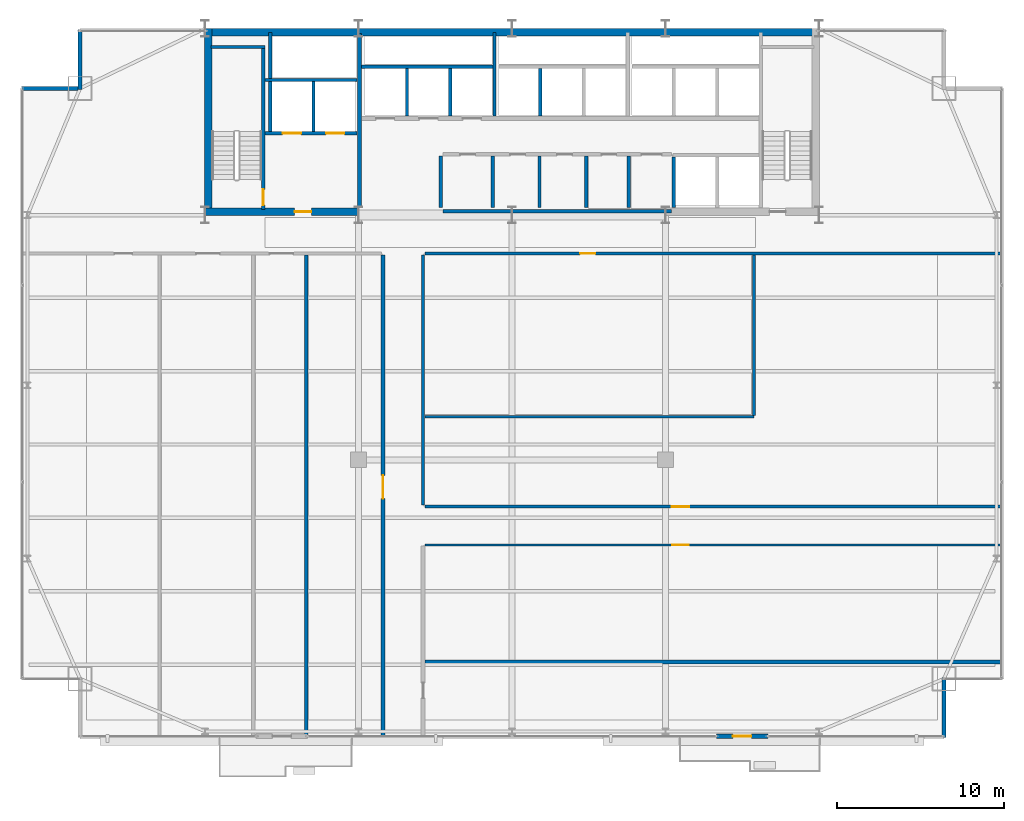
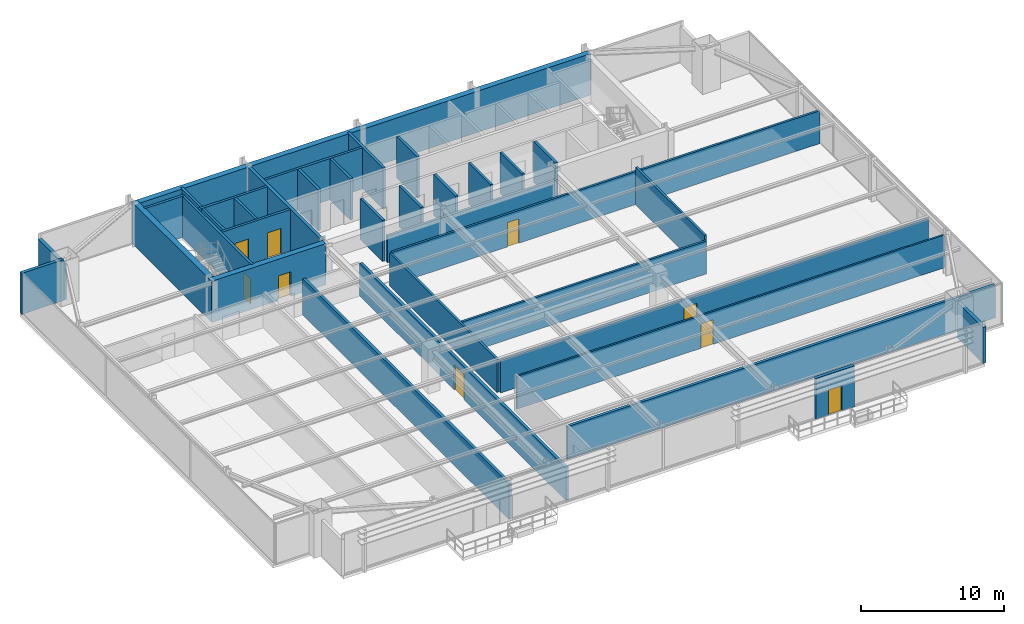
# One storey, part 28 of 31: 35 walls, 9 doors, 9 openings.
"""IFC4 building model written with IfcOpenShell, lengths in metres."""

from ifc_helpers import new_model, si_unit, direction, frame, frame_2d, origin, place, context, subcontext, project, spatial, rectangle, extrude, source, transform, mapped, material, layer, layer_set, type_object, type_shapes, element, fill, save


model = new_model("IFC4")

# Units and contexts
model_context = context("Model", 3, precision=1e-05, world=origin(), true_north=direction((0.0, 1.0)))
body_context = subcontext(model_context, "Body", "Model", "MODEL_VIEW")
ifc_project = project(units=[si_unit("LENGTHUNIT", "METRE"), si_unit("AREAUNIT", "SQUARE_METRE"), si_unit("VOLUMEUNIT", "CUBIC_METRE"), si_unit("PLANEANGLEUNIT", "RADIAN"), si_unit("MASSUNIT", "GRAM", prefix="KILO")], contexts=[model_context])

# Site, building, storey
site_placement = place(None, origin())
site = spatial("IfcSite", under=ifc_project, at=site_placement, CompositionType="ELEMENT")
building_placement = place(site_placement, origin())
building = spatial("IfcBuilding", under=site, at=building_placement, Name="Varnel Quay Broadcast Tower", CompositionType="ELEMENT")
storey_placement = place(building_placement, frame((0.0, 0.0, 94.60009765625)))
storey = spatial("IfcBuildingStorey", under=building, at=storey_placement, Name="L22", CompositionType="ELEMENT", Elevation=94.60009765625)

# Wall, opening, door
ifc_material_1 = material(Name="Concrete CSA A23.3 C50/60", Category="concrete")
ifc_layer_1 = layer(ifc_material_1, 0.199951171875, Name="Concrete CSA A23.3 C50/60")
ifc_layer_set_1 = layer_set([ifc_layer_1], Name="Concrete CSA A23.3 C50/60")
wall_type_1 = type_object("IfcWallType", Name="Wall_CoreShaftShear200", PredefinedType="SHEAR", material=ifc_layer_set_1)
wall_1_placement = place(storey_placement, frame((19.080078125, 35.949951171875, 0.0), z_axis=(0.0, 0.0, 1.0), x_axis=(0.0, 1.0, 0.0)))
wall_1 = element("IfcWall", 1, at=wall_1_placement, inside=storey, type_object=wall_type_1, Name="L22 Stair 1 East Structural Wall", PredefinedType="SHEAR", context=body_context, shape_type="SweptSolid", body=[
    extrude(rectangle(XDim=9.650146484375, YDim=0.199951171875, at=frame_2d((4.8251953125, 0.0))), origin(), (0.0, 0.0, 1.0), 3.52001953125),
])
opening_1_placement = place(wall_1_placement, frame((0.25, 0.0, 0.0)))
opening_1 = element("IfcOpeningElement", 2, at=opening_1_placement, cuts=wall_1, Name="Opening D-L22-S1", PredefinedType="OPENING", context=body_context, shape_type="SweptSolid", body=[
    extrude(rectangle(XDim=0.949951171875, YDim=2.10009765625, at=frame_2d((0.47509765625, 1.050048828125))), frame((0.0, 0.10986328125, 0.0), z_axis=(0.0, -1.0, 0.0), x_axis=(1.0, 0.0, 0.0)), (0.0, 0.0, 1.0), 0.219970703125),
])
ifc_material_2 = material(Name="Insulated Fire-Rated Hollow Steel Door", Category="steel")
door_type_1 = type_object("IfcDoorType", Name="Door_FireStair950", OperationType="NOTDEFINED", PredefinedType="DOOR", material=ifc_material_2)
shared_shape_1 = source(origin(), body_context, "Body", "SweptSolid", [
    extrude(rectangle(XDim=0.949951171875, YDim=2.10009765625, at=frame_2d((0.47509765625, 1.050048828125))), frame((0.0, 0.02490234375, 0.0), z_axis=(0.0, -1.0, 0.0), x_axis=(1.0, 0.0, 0.0)), (0.0, 0.0, 1.0), 0.050048828125),
])
type_shapes(door_type_1, [shared_shape_1])
door_1_placement = place(opening_1_placement, origin())
door_1 = element("IfcDoor", 3, at=door_1_placement, inside=storey, type_object=door_type_1, Name="L22 Stair 1 Fire Door", OperationType="SINGLE_SWING_RIGHT", OverallHeight=2.10009765625, OverallWidth=0.949951171875, PredefinedType="DOOR", context=body_context, shape_type="MappedRepresentation", body=[
    mapped(shared_shape_1, transform((0.0, 0.0, 0.0), x_axis=(1.0, 0.0, 0.0), y_axis=(0.0, 1.0, 0.0), z_axis=(0.0, 0.0, 1.0), scale=1.0)),
])
fill(opening_1, door_1)

# Wall
wall_2_placement = place(storey_placement, frame((15.949951171875, 45.679931640625, 0.0), z_axis=(0.0, 0.0, 1.0), x_axis=(1.0, 0.0, 0.0)))
element("IfcWall", 4, at=wall_2_placement, inside=storey, type_object=wall_type_1, Name="L22 Stair 1 North Structural Wall", PredefinedType="SHEAR", context=body_context, shape_type="SweptSolid", body=[
    extrude(rectangle(XDim=3.22998046875, YDim=0.199951171875, at=frame_2d((1.614990234375, 0.0))), origin(), (0.0, 0.0, 1.0), 3.52001953125),
])

# Wall, openings, doors
wall_3_placement = place(storey_placement, frame((19.199951171875, 40.5, 0.0), z_axis=(0.0, 0.0, 1.0), x_axis=(1.0, 0.0, 0.0)))
wall_3 = element("IfcWall", 5, at=wall_3_placement, inside=storey, type_object=wall_type_1, Name="L22 Firefighter Lift Shaft Front Wall", PredefinedType="SHEAR", context=body_context, shape_type="SweptSolid", body=[
    extrude(rectangle(XDim=5.52001953125, YDim=0.199951171875, at=frame_2d((2.760009765625, 0.0))), origin(), (0.0, 0.0, 1.0), 3.52001953125),
])
opening_2_placement = place(wall_3_placement, frame((1.050048828125, 0.0, 0.0)))
opening_2 = element("IfcOpeningElement", 6, at=opening_2_placement, cuts=wall_3, Name="Opening LD-L22-FE1", PredefinedType="OPENING", context=body_context, shape_type="SweptSolid", body=[
    extrude(rectangle(XDim=1.10009765625, YDim=2.179931640625, at=frame_2d((0.550048828125, 1.08984375))), frame((0.0, 0.10986328125, 0.0), z_axis=(0.0, -1.0, 0.0), x_axis=(1.0, 0.0, 0.0)), (0.0, 0.0, 1.0), 0.219970703125),
])
opening_3_placement = place(wall_3_placement, frame((3.64990234375, 0.0, 0.0)))
opening_3 = element("IfcOpeningElement", 7, at=opening_3_placement, cuts=wall_3, Name="Opening LD-L22-FE2", PredefinedType="OPENING", context=body_context, shape_type="SweptSolid", body=[
    extrude(rectangle(XDim=1.10009765625, YDim=2.179931640625, at=frame_2d((0.550048828125, 1.08984375))), frame((0.0, 0.10986328125, 0.0), z_axis=(0.0, -1.0, 0.0), x_axis=(1.0, 0.0, 0.0)), (0.0, 0.0, 1.0), 0.219970703125),
])
ifc_material_3 = material(Name="Brushed Bronze-Stainless Lift Car & Sliding Doors", Category="steel")
door_type_2 = type_object("IfcDoorType", Name="Door_LiftLanding1100", OperationType="SLIDING_TO_LEFT", PredefinedType="DOOR", material=ifc_material_3)
shared_shape_2 = source(origin(), body_context, "Body", "SweptSolid", [
    extrude(rectangle(XDim=1.10009765625, YDim=2.179931640625, at=frame_2d((0.550048828125, 1.08984375))), frame((0.0, 0.02490234375, 0.0), z_axis=(0.0, -1.0, 0.0), x_axis=(1.0, 0.0, 0.0)), (0.0, 0.0, 1.0), 0.050048828125),
])
type_shapes(door_type_2, [shared_shape_2])
door_2_placement = place(opening_2_placement, frame((1.10009765625, 0.0, 0.0), z_axis=(0.0, 0.0, 1.0), x_axis=(-1.0, 0.0, 0.0)))
door_2 = element("IfcDoor", 8, at=door_2_placement, inside=storey, type_object=door_type_2, Name="L22 Firefighter Lift FE-01 Landing Door", OperationType="SLIDING_TO_LEFT", OverallHeight=2.179931640625, OverallWidth=1.10009765625, PredefinedType="DOOR", context=body_context, shape_type="MappedRepresentation", body=[
    mapped(shared_shape_2, transform((0.0, 0.0, 0.0), x_axis=(1.0, 0.0, 0.0), y_axis=(0.0, 1.0, 0.0), z_axis=(0.0, 0.0, 1.0), scale=1.0)),
])
fill(opening_2, door_2)
door_3_placement = place(opening_3_placement, frame((1.10009765625, 0.0, 0.0), z_axis=(0.0, 0.0, 1.0), x_axis=(-1.0, 0.0, 0.0)))
door_3 = element("IfcDoor", 9, at=door_3_placement, inside=storey, type_object=door_type_2, Name="L22 Firefighter Lift FE-02 Landing Door", OperationType="SLIDING_TO_RIGHT", OverallHeight=2.179931640625, OverallWidth=1.10009765625, PredefinedType="DOOR", context=body_context, shape_type="MappedRepresentation", body=[
    mapped(shared_shape_2, transform((0.0, 0.0, 0.0), x_axis=(1.0, 0.0, 0.0), y_axis=(0.0, 1.0, 0.0), z_axis=(0.0, 0.0, 1.0), scale=1.0)),
])
fill(opening_3, door_3)

# Walls
wall_4_placement = place(storey_placement, frame((19.199951171875, 43.699951171875, 0.0), z_axis=(0.0, 0.0, 1.0), x_axis=(1.0, 0.0, 0.0)))
element("IfcWall", 10, at=wall_4_placement, inside=storey, type_object=wall_type_1, Name="L22 Firefighter Lift Shaft Rear Wall", PredefinedType="SHEAR", context=body_context, shape_type="SweptSolid", body=[
    extrude(rectangle(XDim=5.52001953125, YDim=0.199951171875, at=frame_2d((2.760009765625, 0.0))), origin(), (0.0, 0.0, 1.0), 3.52001953125),
])
wall_5_placement = place(storey_placement, frame((22.10009765625, 40.60009765625, 0.0), z_axis=(0.0, 0.0, 1.0), x_axis=(0.0, 1.0, 0.0)))
element("IfcWall", 11, at=wall_5_placement, inside=storey, type_object=wall_type_1, Name="L22 Firefighter Lift Shaft Divider", PredefinedType="SHEAR", context=body_context, shape_type="SweptSolid", body=[
    extrude(rectangle(XDim=3.0, YDim=0.199951171875, at=frame_2d((1.5, 0.0))), origin(), (0.0, 0.0, 1.0), 3.52001953125),
])
wall_6_placement = place(storey_placement, frame((19.5, 40.60009765625, 0.0), z_axis=(0.0, 0.0, 1.0), x_axis=(0.0, 1.0, 0.0)))
element("IfcWall", 12, at=wall_6_placement, inside=storey, type_object=wall_type_1, Name="L22 Firefighter Lift Shaft West Wall", PredefinedType="SHEAR", context=body_context, shape_type="SweptSolid", body=[
    extrude(rectangle(XDim=5.949951171875, YDim=0.199951171875, at=frame_2d((2.97509765625, 0.0))), origin(), (0.0, 0.0, 1.0), 3.52001953125),
])
wall_7_placement = place(storey_placement, frame((24.97998046875, 44.5, 0.0), z_axis=(0.0, 0.0, 1.0), x_axis=(1.0, 0.0, 0.0)))
element("IfcWall", 13, at=wall_7_placement, inside=storey, type_object=wall_type_1, Name="L22 Low-Rise Lift Shaft Rear Wall", PredefinedType="SHEAR", context=body_context, shape_type="SweptSolid", body=[
    extrude(rectangle(XDim=7.8701171875, YDim=0.199951171875, at=frame_2d((3.93505859375, 0.0))), origin(), (0.0, 0.0, 1.0), 3.52001953125),
])
for number, where, z_axis, x_axis, name in (
    (14, (27.699951171875, 41.530029296875, 0.0), (0.0, 0.0, 1.0), (0.0, 1.0, 0.0), "L22 Low-Rise Lift Shaft Divider 1"),
    (15, (30.300048828125, 41.530029296875, 0.0), (0.0, 0.0, 1.0), (0.0, 1.0, 0.0), "L22 Low-Rise Lift Shaft Divider 2"),
):
    element("IfcWall", number, at=place(storey_placement, frame(where, z_axis=z_axis, x_axis=x_axis)), inside=storey, type_object=wall_type_1, Name=name, PredefinedType="SHEAR", context=body_context, shape_type="SweptSolid", body=[
        extrude(rectangle(XDim=2.869873046875, YDim=0.199951171875, at=frame_2d((1.43505859375, 0.0))), origin(), (0.0, 0.0, 1.0), 3.52001953125),
    ])
wall_8_placement = place(storey_placement, frame((32.949951171875, 41.530029296875, 0.0), z_axis=(0.0, 0.0, 1.0), x_axis=(0.0, 1.0, 0.0)))
element("IfcWall", 16, at=wall_8_placement, inside=storey, type_object=wall_type_1, Name="L22 Low-Rise Lift Shaft Divider 3", PredefinedType="SHEAR", context=body_context, shape_type="SweptSolid", body=[
    extrude(rectangle(XDim=5.02001953125, YDim=0.199951171875, at=frame_2d((2.510009765625, 0.0))), origin(), (0.0, 0.0, 1.0), 3.52001953125),
])
wall_9_placement = place(storey_placement, frame((35.699951171875, 41.530029296875, 0.0), z_axis=(0.0, 0.0, 1.0), x_axis=(0.0, 1.0, 0.0)))
element("IfcWall", 17, at=wall_9_placement, inside=storey, type_object=wall_type_1, Name="L22 Mid-Rise Lift Shaft Divider 2", PredefinedType="SHEAR", context=body_context, shape_type="SweptSolid", body=[
    extrude(rectangle(XDim=2.869873046875, YDim=0.199951171875, at=frame_2d((1.43505859375, 0.0))), origin(), (0.0, 0.0, 1.0), 3.52001953125),
])
wall_10_placement = place(storey_placement, frame((43.699951171875, 36.050048828125, 0.0), z_axis=(0.0, 0.0, 1.0), x_axis=(0.0, 1.0, 0.0)))
element("IfcWall", 18, at=wall_10_placement, inside=storey, type_object=wall_type_1, Name="L22 Express Lift Shaft West Wall", PredefinedType="SHEAR", context=body_context, shape_type="SweptSolid", body=[
    extrude(rectangle(XDim=3.050048828125, YDim=0.199951171875, at=frame_2d((1.52490234375, 0.0))), origin(), (0.0, 0.0, 1.0), 3.52001953125),
])
ifc_layer_2 = layer(ifc_material_1, 0.25, Name="Concrete CSA A23.3 C50/60")
ifc_layer_set_2 = layer_set([ifc_layer_2], Name="Concrete CSA A23.3 C50/60")
wall_type_2 = type_object("IfcWallType", Name="Wall_CoreShaftShear250", PredefinedType="SHEAR", material=ifc_layer_set_2)
wall_11_placement = place(storey_placement, frame((24.85009765625, 36.050048828125, 0.0), z_axis=(0.0, 0.0, 1.0), x_axis=(0.0, 1.0, 0.0)))
element("IfcWall", 19, at=wall_11_placement, inside=storey, type_object=wall_type_2, Name="L22 Firefighting Lobby East Structural Wall", PredefinedType="SHEAR", context=body_context, shape_type="SweptSolid", body=[
    extrude(rectangle(XDim=10.449951171875, YDim=0.25, at=frame_2d((5.22509765625, 0.0))), origin(), (0.0, 0.0, 1.0), 3.52001953125),
])
ifc_material_4 = material(Name="Concrete CSA A23.3 C60/75", Category="concrete")
ifc_layer_3 = layer(ifc_material_4, 0.449951171875, Name="Concrete CSA A23.3 C60/75")
ifc_layer_set_3 = layer_set([ifc_layer_3], Name="Concrete CSA A23.3 C60/75")
wall_type_3 = type_object("IfcWallType", Name="Wall_CoreShearExt450", PredefinedType="SHEAR", material=ifc_layer_set_3)
wall_12_placement = place(storey_placement, frame((15.60009765625, 46.574951171875, 0.0), z_axis=(0.0, 0.0, 1.0), x_axis=(1.0, 0.0, 0.0)))
element("IfcWall", 20, at=wall_12_placement, inside=storey, type_object=wall_type_3, Name="L22 North Core Shear Wall", PredefinedType="SHEAR", context=body_context, shape_type="SweptSolid", body=[
    extrude(rectangle(XDim=36.7998046875, YDim=0.449951171875, at=frame_2d((18.39990234375, 0.0))), origin(), (0.0, 0.0, 1.0), 3.52001953125),
])
ifc_layer_4 = layer(ifc_material_4, 0.449951171875, Name="Concrete CSA A23.3 C60/75")
ifc_layer_set_4 = layer_set([ifc_layer_4], Name="Concrete CSA A23.3 C60/75")
wall_type_4 = type_object("IfcWallType", Name="Wall_CoreShearInt450", PredefinedType="SHEAR", material=ifc_layer_set_4)
wall_13_placement = place(storey_placement, frame((15.794921875, 35.570068359375, 0.0), z_axis=(0.0, 0.0, 1.0), x_axis=(0.0, 1.0, 0.0)))
element("IfcWall", 21, at=wall_13_placement, inside=storey, type_object=wall_type_4, Name="L22 West Core Shear Wall", PredefinedType="SHEAR", context=body_context, shape_type="SweptSolid", body=[
    extrude(rectangle(XDim=11.22998046875, YDim=0.449951171875, at=frame_2d((5.614990234375, 0.0))), origin(), (0.0, 0.0, 1.0), 3.52001953125),
])

# Wall, opening, door
wall_14_placement = place(storey_placement, frame((15.570068359375, 35.794921875, 0.0), z_axis=(0.0, 0.0, 1.0), x_axis=(1.0, 0.0, 0.0)))
wall_14 = element("IfcWall", 22, at=wall_14_placement, inside=storey, type_object=wall_type_4, Name="L22 South-West Core Shear Wall", PredefinedType="SHEAR", context=body_context, shape_type="SweptSolid", body=[
    extrude(rectangle(XDim=9.22998046875, YDim=0.449951171875, at=frame_2d((4.614990234375, 0.0))), origin(), (0.0, 0.0, 1.0), 3.52001953125),
])
opening_4_placement = place(wall_14_placement, frame((5.39990234375, 0.0, 0.0)))
opening_4 = element("IfcOpeningElement", 23, at=opening_4_placement, cuts=wall_14, Name="Opening D-L22-FFL", PredefinedType="OPENING", context=body_context, shape_type="SweptSolid", body=[
    extrude(rectangle(XDim=1.0, YDim=2.10009765625, at=frame_2d((0.5, 1.050048828125))), frame((0.0, 0.23486328125, 0.0), z_axis=(0.0, -1.0, 0.0), x_axis=(1.0, 0.0, 0.0)), (0.0, 0.0, 1.0), 0.469970703125),
])
door_type_3 = type_object("IfcDoorType", Name="Door_FireLobby1000", OperationType="NOTDEFINED", PredefinedType="DOOR", material=ifc_material_2)
shared_shape_3 = source(origin(), body_context, "Body", "SweptSolid", [
    extrude(rectangle(XDim=1.0, YDim=2.10009765625, at=frame_2d((0.5, 1.050048828125))), frame((0.0, 0.02490234375, 0.0), z_axis=(0.0, -1.0, 0.0), x_axis=(1.0, 0.0, 0.0)), (0.0, 0.0, 1.0), 0.050048828125),
])
type_shapes(door_type_3, [shared_shape_3])
door_4_placement = place(opening_4_placement, origin())
door_4 = element("IfcDoor", 24, at=door_4_placement, inside=storey, type_object=door_type_3, Name="L22 Firefighting Lobby Door", OperationType="SINGLE_SWING_LEFT", OverallHeight=2.10009765625, OverallWidth=1.0, PredefinedType="DOOR", context=body_context, shape_type="MappedRepresentation", body=[
    mapped(shared_shape_3, transform((0.0, 0.0, 0.0), x_axis=(1.0, 0.0, 0.0), y_axis=(0.0, 1.0, 0.0), z_axis=(0.0, 0.0, 1.0), scale=1.0)),
])
fill(opening_4, door_4)

ifc_material_5 = material(Name="Precast Architectural Concrete C40/50", Category="concrete")
ifc_layer_5 = layer(ifc_material_5, 0.25, Name="Precast Architectural Concrete C40/50")
ifc_layer_set_5 = layer_set([ifc_layer_5], Name="Precast Architectural Concrete C40/50")
wall_type_5 = type_object("IfcWallType", Name="Wall_ExtTerrace250", PredefinedType="SOLIDWALL", material=ifc_layer_set_5)
wall_15_placement = place(storey_placement, frame((46.25, 4.35009765625, 0.0), z_axis=(0.0, 0.0, 1.0), x_axis=(1.0, 0.0, 0.0)))
wall_15 = element("IfcWall", 25, at=wall_15_placement, inside=storey, type_object=wall_type_5, Name="L22 Terrace Access Wall 2", PredefinedType="SOLIDWALL", context=body_context, shape_type="SweptSolid", body=[
    extrude(rectangle(XDim=3.10009765625, YDim=0.25, at=frame_2d((1.550048828125, 0.0))), origin(), (0.0, 0.0, 1.0), 3.5),
])
opening_5_placement = place(wall_15_placement, frame((1.0, 0.0, 0.0)))
opening_5 = element("IfcOpeningElement", 26, at=opening_5_placement, cuts=wall_15, Name="Opening TD-222", PredefinedType="OPENING", context=body_context, shape_type="SweptSolid", body=[
    extrude(rectangle(XDim=1.10009765625, YDim=2.14990234375, at=frame_2d((0.550048828125, 1.074951171875))), frame((0.0, 0.135009765625, 0.0), z_axis=(0.0, -1.0, 0.0), x_axis=(1.0, 0.0, 0.0)), (0.0, 0.0, 1.0), 0.27001953125),
])
ifc_material_6 = material(Name="Anodised Bronze Aluminium 6063-T6", Category="aluminium")
door_type_4 = type_object("IfcDoorType", Name="Door_ExtTerrace1100", OperationType="NOTDEFINED", PredefinedType="DOOR", material=ifc_material_6)
shared_shape_4 = source(origin(), body_context, "Body", "SweptSolid", [
    extrude(rectangle(XDim=1.10009765625, YDim=2.14990234375, at=frame_2d((0.550048828125, 1.074951171875))), frame((0.0, 0.02490234375, 0.0), z_axis=(0.0, -1.0, 0.0), x_axis=(1.0, 0.0, 0.0)), (0.0, 0.0, 1.0), 0.050048828125),
])
type_shapes(door_type_4, [shared_shape_4])
door_5_placement = place(opening_5_placement, frame((1.10009765625, 0.0, 0.0), z_axis=(0.0, 0.0, 1.0), x_axis=(-1.0, 0.0, 0.0)))
door_5 = element("IfcDoor", 27, at=door_5_placement, inside=storey, type_object=door_type_4, Name="L22 Terrace Door TD-222", OperationType="SINGLE_SWING_RIGHT", OverallHeight=2.14990234375, OverallWidth=1.10009765625, PredefinedType="DOOR", context=body_context, shape_type="MappedRepresentation", body=[
    mapped(shared_shape_4, transform((0.0, 0.0, 0.0), x_axis=(1.0, 0.0, 0.0), y_axis=(0.0, 1.0, 0.0), z_axis=(0.0, 0.0, 1.0), scale=1.0)),
])
fill(opening_5, door_5)

# Walls
wall_16_placement = place(storey_placement, frame((59.89990234375, 4.280029296875, 0.0), z_axis=(0.0, 0.0, 1.0), x_axis=(0.0, 1.0, 0.0)))
element("IfcWall", 28, at=wall_16_placement, inside=storey, type_object=wall_type_5, Name="L22 Mega-Column Notch Cladding Wall NSE2", PredefinedType="SOLIDWALL", context=body_context, shape_type="SweptSolid", body=[
    extrude(rectangle(XDim=3.599853515625, YDim=0.25, at=frame_2d((1.7998046875, 0.0))), origin(), (0.0, 0.0, 1.0), 3.077880859375),
])
wall_17_placement = place(storey_placement, frame((4.580078125, 43.199951171875, 0.0), z_axis=(0.0, 0.0, 1.0), x_axis=(1.0, 0.0, 0.0)))
element("IfcWall", 29, at=wall_17_placement, inside=storey, type_object=wall_type_5, Name="L22 Mega-Column Notch Cladding Wall NNW1", PredefinedType="SOLIDWALL", context=body_context, shape_type="SweptSolid", body=[
    extrude(rectangle(XDim=3.389892578125, YDim=0.25, at=frame_2d((1.69482421875, 0.0))), origin(), (0.0, 0.0, 1.0), 3.5),
])
wall_18_placement = place(storey_placement, frame((8.10009765625, 43.1201171875, 0.0), z_axis=(0.0, 0.0, 1.0), x_axis=(0.0, 1.0, 0.0)))
element("IfcWall", 30, at=wall_18_placement, inside=storey, type_object=wall_type_5, Name="L22 Mega-Column Notch Cladding Wall NNW2", PredefinedType="SOLIDWALL", context=body_context, shape_type="SweptSolid", body=[
    extrude(rectangle(XDim=3.599853515625, YDim=0.25, at=frame_2d((1.7998046875, 0.0))), origin(), (0.0, 0.0, 1.0), 3.077880859375),
])
ifc_material_7 = material(Name="Concrete Blockwork Fire Enclosure C40/50", Category="masonry")
ifc_layer_6 = layer(ifc_material_7, 0.199951171875, Name="Concrete Blockwork Fire Enclosure C40/50")
ifc_layer_set_6 = layer_set([ifc_layer_6], Name="Concrete Blockwork Fire Enclosure C40/50")
wall_type_6 = type_object("IfcWallType", Name="Wall_FireShaft200", PredefinedType="SOLIDWALL", material=ifc_layer_set_6)
wall_19_placement = place(storey_placement, frame((29.85009765625, 35.824951171875, 0.0), z_axis=(0.0, 0.0, 1.0), x_axis=(1.0, 0.0, 0.0)))
element("IfcWall", 31, at=wall_19_placement, inside=storey, type_object=wall_type_6, Name="L22 Accessible Washroom Partition 1", PredefinedType="SOLIDWALL", context=body_context, shape_type="SweptSolid", body=[
    extrude(rectangle(XDim=13.699951171875, YDim=0.199951171875, at=frame_2d((6.85009765625, 0.0))), origin(), (0.0, 0.0, 1.0), 2.294921875),
])
wall_20_placement = place(storey_placement, frame((41.0, 36.050048828125, 0.0), z_axis=(0.0, 0.0, 1.0), x_axis=(0.0, 1.0, 0.0)))
element("IfcWall", 32, at=wall_20_placement, inside=storey, type_object=wall_type_6, Name="L22 Cleaners' & Linen Store Partition 7", PredefinedType="SOLIDWALL", context=body_context, shape_type="SweptSolid", body=[
    extrude(rectangle(XDim=3.099853515625, YDim=0.199951171875, at=frame_2d((1.5498046875, 0.0))), origin(), (0.0, 0.0, 1.0), 3.5),
])

# Wall, opening, door
ifc_material_8 = material(Name="Steel-Stud Fire-Rated Acoustic Gypsum Partition Assembly", Category="steel")
ifc_layer_7 = layer(ifc_material_8, 0.139892578125, Name="Steel-Stud Fire-Rated Acoustic Gypsum Partition Assembly")
ifc_layer_set_7 = layer_set([ifc_layer_7], Name="Steel-Stud Fire-Rated Acoustic Gypsum Partition Assembly")
wall_type_7 = type_object("IfcWallType", Name="Wall_Partition140", PredefinedType="PARTITIONING", material=ifc_layer_set_7)
wall_21_placement = place(storey_placement, frame((28.77001953125, 15.820068359375, 0.0), z_axis=(0.0, 0.0, 1.0), x_axis=(1.0, 0.0, 0.0)))
wall_21 = element("IfcWall", 33, at=wall_21_placement, inside=storey, type_object=wall_type_7, Name="L22 Talent Lounge 6 Partition 15", PredefinedType="PARTITIONING", context=body_context, shape_type="SweptSolid", body=[
    extrude(rectangle(XDim=34.550048828125, YDim=0.139892578125, at=frame_2d((17.27490234375, 0.0))), origin(), (0.0, 0.0, 1.0), 2.7998046875),
])
opening_6_placement = place(wall_21_placement, frame((14.840087890625, 0.0, 0.0)))
opening_6 = element("IfcOpeningElement", 34, at=opening_6_placement, cuts=wall_21, Name="Opening D-L22-11", PredefinedType="OPENING", context=body_context, shape_type="SweptSolid", body=[
    extrude(rectangle(XDim=1.0, YDim=2.10009765625, at=frame_2d((0.5, 1.050048828125))), frame((0.0, 0.080078125, 0.0), z_axis=(0.0, -1.0, 0.0), x_axis=(1.0, 0.0, 0.0)), (0.0, 0.0, 1.0), 0.159912109375),
])
ifc_material_9 = material(Name="Solid-Core Fire-Rated Acoustic Oak Veneer Door", Category="wood")
door_type_5 = type_object("IfcDoorType", Name="Door_Exec1000", OperationType="NOTDEFINED", PredefinedType="DOOR", material=ifc_material_9)
shared_shape_5 = source(origin(), body_context, "Body", "SweptSolid", [
    extrude(rectangle(XDim=1.0, YDim=2.10009765625, at=frame_2d((0.5, 1.050048828125))), frame((0.0, 0.02490234375, 0.0), z_axis=(0.0, -1.0, 0.0), x_axis=(1.0, 0.0, 0.0)), (0.0, 0.0, 1.0), 0.050048828125),
])
type_shapes(door_type_5, [shared_shape_5])
door_6_placement = place(opening_6_placement, frame((1.0, 0.0, 0.0), z_axis=(0.0, 0.0, 1.0), x_axis=(-1.0, 0.0, 0.0)))
door_6 = element("IfcDoor", 35, at=door_6_placement, inside=storey, type_object=door_type_5, Name="L22 Talent Lounge 6 Door D-L22-11", OperationType="SINGLE_SWING_RIGHT", OverallHeight=2.10009765625, OverallWidth=1.0, PredefinedType="DOOR", context=body_context, shape_type="MappedRepresentation", body=[
    mapped(shared_shape_5, transform((0.0, 0.0, 0.0), x_axis=(1.0, 0.0, 0.0), y_axis=(0.0, 1.0, 0.0), z_axis=(0.0, 0.0, 1.0), scale=1.0)),
])
fill(opening_6, door_6)

ifc_layer_8 = layer(ifc_material_8, 0.175048828125, Name="Steel-Stud Fire-Rated Acoustic Gypsum Partition Assembly")
ifc_layer_set_8 = layer_set([ifc_layer_8], Name="Steel-Stud Fire-Rated Acoustic Gypsum Partition Assembly")
wall_type_8 = type_object("IfcWallType", Name="Wall_Partition175", PredefinedType="PARTITIONING", material=ifc_layer_set_8)
wall_22_placement = place(storey_placement, frame((28.77001953125, 18.1201171875, 0.0), z_axis=(0.0, 0.0, 1.0), x_axis=(1.0, 0.0, 0.0)))
wall_22 = element("IfcWall", 36, at=wall_22_placement, inside=storey, type_object=wall_type_8, Name="L22 Broadcast Seminar Room 7 Partition 16", PredefinedType="PARTITIONING", context=body_context, shape_type="SweptSolid", body=[
    extrude(rectangle(XDim=34.550048828125, YDim=0.175048828125, at=frame_2d((17.27490234375, 0.0))), origin(), (0.0, 0.0, 1.0), 2.7998046875),
])
opening_7_placement = place(wall_22_placement, frame((14.81494140625, 0.0, 0.0)))
opening_7 = element("IfcOpeningElement", 37, at=opening_7_placement, cuts=wall_22, Name="Opening D-L22-12", PredefinedType="OPENING", context=body_context, shape_type="SweptSolid", body=[
    extrude(rectangle(XDim=1.050048828125, YDim=2.10009765625, at=frame_2d((0.52490234375, 1.050048828125))), frame((0.0, 0.09765625, 0.0), z_axis=(0.0, -1.0, 0.0), x_axis=(1.0, 0.0, 0.0)), (0.0, 0.0, 1.0), 0.195068359375),
])
door_type_6 = type_object("IfcDoorType", Name="Door_Meeting1050", OperationType="NOTDEFINED", PredefinedType="DOOR", material=ifc_material_9)
shared_shape_6 = source(origin(), body_context, "Body", "SweptSolid", [
    extrude(rectangle(XDim=1.050048828125, YDim=2.10009765625, at=frame_2d((0.52490234375, 1.050048828125))), frame((0.0, 0.02490234375, 0.0), z_axis=(0.0, -1.0, 0.0), x_axis=(1.0, 0.0, 0.0)), (0.0, 0.0, 1.0), 0.050048828125),
])
type_shapes(door_type_6, [shared_shape_6])
door_7_placement = place(opening_7_placement, origin())
door_7 = element("IfcDoor", 38, at=door_7_placement, inside=storey, type_object=door_type_6, Name="L22 Broadcast Seminar Room 7 Door D-L22-12", OperationType="SINGLE_SWING_LEFT", OverallHeight=2.10009765625, OverallWidth=1.050048828125, PredefinedType="DOOR", context=body_context, shape_type="MappedRepresentation", body=[
    mapped(shared_shape_6, transform((0.0, 0.0, 0.0), x_axis=(1.0, 0.0, 0.0), y_axis=(0.0, 1.0, 0.0), z_axis=(0.0, 0.0, 1.0), scale=1.0)),
])
fill(opening_7, door_7)

wall_23_placement = place(storey_placement, frame((28.77001953125, 33.300048828125, 0.0), z_axis=(0.0, 0.0, 1.0), x_axis=(1.0, 0.0, 0.0)))
wall_23 = element("IfcWall", 39, at=wall_23_placement, inside=storey, type_object=wall_type_8, Name="L22 Broadcast Seminar Room 7 Partition 17", PredefinedType="PARTITIONING", context=body_context, shape_type="SweptSolid", body=[
    extrude(rectangle(XDim=34.550048828125, YDim=0.175048828125, at=frame_2d((17.27490234375, 0.0))), origin(), (0.0, 0.0, 1.0), 2.7998046875),
])
opening_8_placement = place(wall_23_placement, frame((9.31005859375, 0.0, 0.0)))
opening_8 = element("IfcOpeningElement", 40, at=opening_8_placement, cuts=wall_23, Name="Opening D-L22-13", PredefinedType="OPENING", context=body_context, shape_type="SweptSolid", body=[
    extrude(rectangle(XDim=0.919921875, YDim=2.080078125, at=frame_2d((0.4599609375, 1.0400390625))), frame((0.0, 0.09765625, 0.0), z_axis=(0.0, -1.0, 0.0), x_axis=(1.0, 0.0, 0.0)), (0.0, 0.0, 1.0), 0.195068359375),
])
door_type_7 = type_object("IfcDoorType", Name="Door_Office920", OperationType="NOTDEFINED", PredefinedType="DOOR", material=ifc_material_9)
shared_shape_7 = source(origin(), body_context, "Body", "SweptSolid", [
    extrude(rectangle(XDim=0.919921875, YDim=2.080078125, at=frame_2d((0.4599609375, 1.0400390625))), frame((0.0, 0.02490234375, 0.0), z_axis=(0.0, -1.0, 0.0), x_axis=(1.0, 0.0, 0.0)), (0.0, 0.0, 1.0), 0.050048828125),
])
type_shapes(door_type_7, [shared_shape_7])
door_8_placement = place(opening_8_placement, frame((0.919921875, 0.0, 0.0), z_axis=(0.0, 0.0, 1.0), x_axis=(-1.0, 0.0, 0.0)))
door_8 = element("IfcDoor", 41, at=door_8_placement, inside=storey, type_object=door_type_7, Name="L22 Audio Control Room 8 Door D-L22-13", OperationType="SINGLE_SWING_RIGHT", OverallHeight=2.080078125, OverallWidth=0.919921875, PredefinedType="DOOR", context=body_context, shape_type="MappedRepresentation", body=[
    mapped(shared_shape_7, transform((0.0, 0.0, 0.0), x_axis=(1.0, 0.0, 0.0), y_axis=(0.0, 1.0, 0.0), z_axis=(0.0, 0.0, 1.0), scale=1.0)),
])
fill(opening_8, door_8)

# Walls
wall_24_placement = place(storey_placement, frame((48.510009765625, 23.597900390625, 0.0), z_axis=(0.0, 0.0, 1.0), x_axis=(0.0, 1.0, 0.0)))
element("IfcWall", 42, at=wall_24_placement, inside=storey, type_object=wall_type_8, Name="L22 Broadcast Seminar Room 7 Partition 18", PredefinedType="PARTITIONING", context=body_context, shape_type="SweptSolid", body=[
    extrude(rectangle(XDim=9.614013671875, YDim=0.175048828125, at=frame_2d((4.80712890625, 0.0))), origin(), (0.0, 0.0, 1.0), 3.19189453125),
])
wall_25_placement = place(storey_placement, frame((28.77001953125, 23.510009765625, 0.0), z_axis=(0.0, 0.0, 1.0), x_axis=(1.0, 0.0, 0.0)))
element("IfcWall", 43, at=wall_25_placement, inside=storey, type_object=wall_type_8, Name="L22 Broadcast Seminar Room 7 Partition 19", PredefinedType="PARTITIONING", context=body_context, shape_type="SweptSolid", body=[
    extrude(rectangle(XDim=19.739990234375, YDim=0.175048828125, at=frame_2d((9.8701171875, 0.0))), origin(), (0.0, 0.0, 1.0), 2.7998046875),
])
wall_26_placement = place(storey_placement, frame((28.669921875, 18.20703125, 0.0), z_axis=(0.0, 0.0, 1.0), x_axis=(0.0, 1.0, 0.0)))
element("IfcWall", 44, at=wall_26_placement, inside=storey, type_object=wall_type_8, Name="L22 Broadcast Seminar Room 7 Partition 20", PredefinedType="PARTITIONING", context=body_context, shape_type="SweptSolid", body=[
    extrude(rectangle(XDim=15.0048828125, YDim=0.175048828125, at=frame_2d((7.50244140625, 0.0))), origin(), (0.0, 0.0, 1.0), 2.7998046875),
])
ifc_layer_9 = layer(ifc_material_8, 0.22509765625, Name="Steel-Stud Fire-Rated Acoustic Gypsum Partition Assembly")
ifc_layer_set_9 = layer_set([ifc_layer_9], Name="Steel-Stud Fire-Rated Acoustic Gypsum Partition Assembly")
wall_type_9 = type_object("IfcWallType", Name="Wall_Partition225", PredefinedType="PARTITIONING", material=ifc_layer_set_9)
wall_27_placement = place(storey_placement, frame((21.669921875, 4.3798828125, 0.0), z_axis=(0.0, 0.0, 1.0), x_axis=(0.0, 1.0, 0.0)))
element("IfcWall", 45, at=wall_27_placement, inside=storey, type_object=wall_type_9, Name="L22 Foley Sound Studio 3 Partition 11", PredefinedType="PARTITIONING", context=body_context, shape_type="SweptSolid", body=[
    extrude(rectangle(XDim=28.83203125, YDim=0.22509765625, at=frame_2d((14.416015625, 0.0))), origin(), (0.0, 0.0, 1.0), 3.077880859375),
])

# Wall, opening, door
wall_28_placement = place(storey_placement, frame((26.27001953125, 4.3798828125, 0.0), z_axis=(0.0, 0.0, 1.0), x_axis=(0.0, 1.0, 0.0)))
wall_28 = element("IfcWall", 46, at=wall_28_placement, inside=storey, type_object=wall_type_9, Name="L22 Voice Booth 4 Partition 12", PredefinedType="PARTITIONING", context=body_context, shape_type="SweptSolid", body=[
    extrude(rectangle(XDim=28.83203125, YDim=0.22509765625, at=frame_2d((14.416015625, 0.0))), origin(), (0.0, 0.0, 1.0), 2.7998046875),
])
opening_9_placement = place(wall_28_placement, frame((14.215087890625, 0.0, 0.0)))
opening_9 = element("IfcOpeningElement", 47, at=opening_9_placement, cuts=wall_28, Name="Opening D-L22-09", PredefinedType="OPENING", context=body_context, shape_type="SweptSolid", body=[
    extrude(rectangle(XDim=1.39990234375, YDim=2.1201171875, at=frame_2d((0.699951171875, 1.06005859375))), frame((0.0, 0.12255859375, 0.0), z_axis=(0.0, -1.0, 0.0), x_axis=(1.0, 0.0, 0.0)), (0.0, 0.0, 1.0), 0.2451171875),
])
door_type_8 = type_object("IfcDoorType", Name="Door_Gallery1400", OperationType="DOUBLE_DOOR_SINGLE_SWING", PredefinedType="DOOR", material=ifc_material_9)
shared_shape_8 = source(origin(), body_context, "Body", "SweptSolid", [
    extrude(rectangle(XDim=1.39990234375, YDim=2.1201171875, at=frame_2d((0.699951171875, 1.06005859375))), frame((0.0, 0.02490234375, 0.0), z_axis=(0.0, -1.0, 0.0), x_axis=(1.0, 0.0, 0.0)), (0.0, 0.0, 1.0), 0.050048828125),
])
type_shapes(door_type_8, [shared_shape_8])
door_9_placement = place(opening_9_placement, origin())
door_9 = element("IfcDoor", 48, at=door_9_placement, inside=storey, type_object=door_type_8, Name="L22 Voice Booth 4 Door D-L22-09", OperationType="DOUBLE_DOOR_SINGLE_SWING", OverallHeight=2.1201171875, OverallWidth=1.39990234375, PredefinedType="DOOR", context=body_context, shape_type="MappedRepresentation", body=[
    mapped(shared_shape_8, transform((0.0, 0.0, 0.0), x_axis=(1.0, 0.0, 0.0), y_axis=(0.0, 1.0, 0.0), z_axis=(0.0, 0.0, 1.0), scale=1.0)),
])
fill(opening_9, door_9)

# Walls
wall_29_placement = place(storey_placement, frame((28.77001953125, 8.800048828125, 0.0), z_axis=(0.0, 0.0, 1.0), x_axis=(1.0, 0.0, 0.0)))
element("IfcWall", 49, at=wall_29_placement, inside=storey, type_object=wall_type_9, Name="L22 Audio Control Room 5 Partition 13", PredefinedType="PARTITIONING", context=body_context, shape_type="SweptSolid", body=[
    extrude(rectangle(XDim=34.550048828125, YDim=0.22509765625, at=frame_2d((17.27490234375, 0.0))), origin(), (0.0, 0.0, 1.0), 2.7998046875),
])
ifc_material_10 = material(Name="Fire-Rated Moisture-Resistant Plumbing Chase Partition")
ifc_layer_10 = layer(ifc_material_10, 0.199951171875, Name="Fire-Rated Moisture-Resistant Plumbing Chase Partition")
ifc_layer_set_10 = layer_set([ifc_layer_10], Name="Fire-Rated Moisture-Resistant Plumbing Chase Partition")
wall_type_10 = type_object("IfcWallType", Name="Wall_Plumbing200", PredefinedType="PLUMBINGWALL", material=ifc_layer_set_10)
for number, where, z_axis, x_axis, name in (
    (50, (32.85009765625, 36.050048828125, 0.0), (0.0, 0.0, 1.0), (0.0, 1.0, 0.0), "L22 Accessible Washroom Partition 2"),
    (51, (29.72509765625, 36.050048828125, 0.0), (0.0, 0.0, 1.0), (0.0, 1.0, 0.0), "L22 Accessible Washroom Partition 4"),
    (52, (35.64990234375, 36.050048828125, 0.0), (0.0, 0.0, 1.0), (0.0, 1.0, 0.0), "L22 West Gender-Neutral Washroom Partition 5"),
    (53, (38.449951171875, 36.050048828125, 0.0), (0.0, 0.0, 1.0), (0.0, 1.0, 0.0), "L22 East Staff Washroom Partition 6"),
):
    element("IfcWall", number, at=place(storey_placement, frame(where, z_axis=z_axis, x_axis=x_axis)), inside=storey, type_object=wall_type_10, Name=name, PredefinedType="PLUMBINGWALL", context=body_context, shape_type="SweptSolid", body=[
        extrude(rectangle(XDim=3.099853515625, YDim=0.199951171875, at=frame_2d((1.5498046875, 0.0))), origin(), (0.0, 0.0, 1.0), 3.5),
    ])

save(model, "model.ifc")
